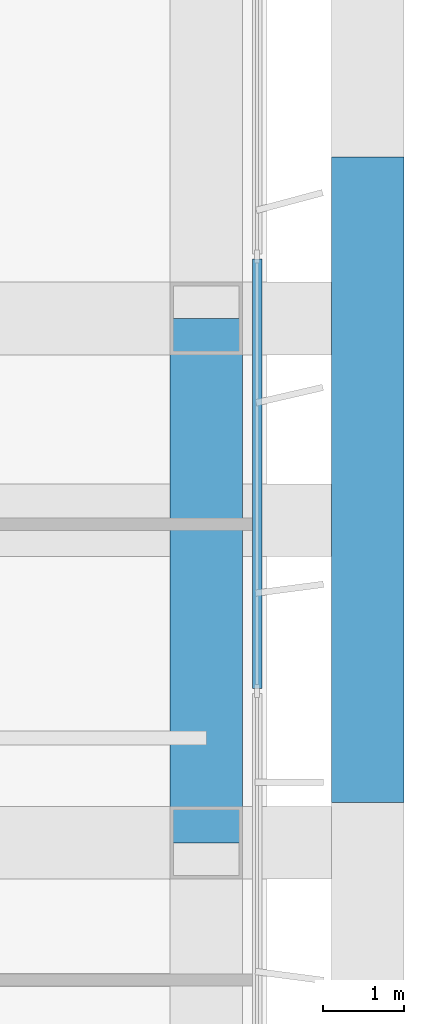
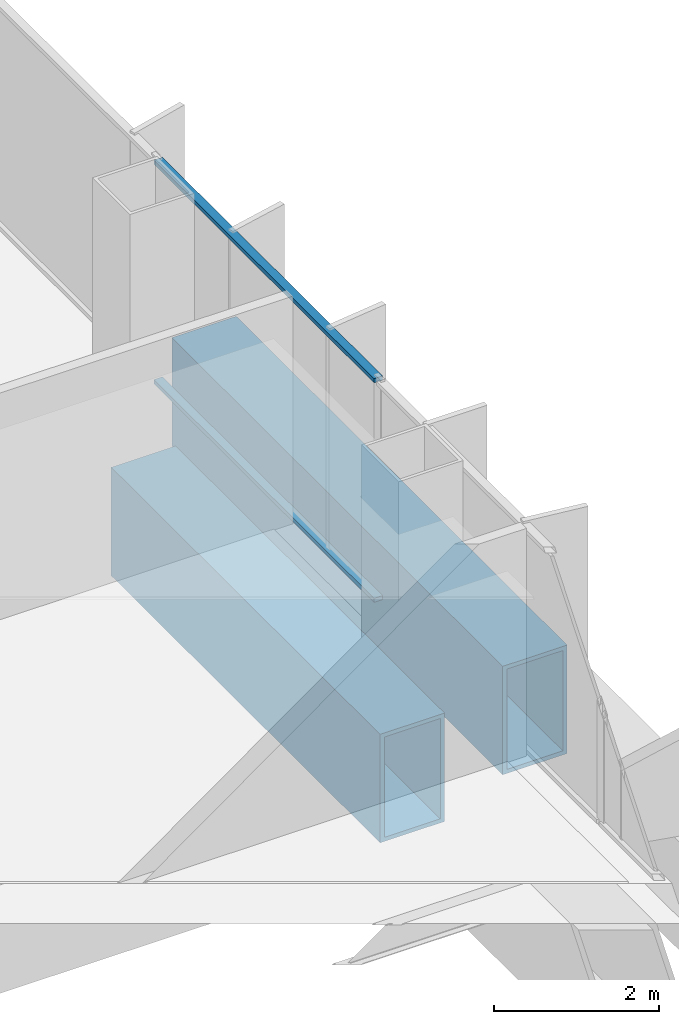
# One storey, part 7 of 17: 2 beams, 2 members, 1 element without a shape of its own.
"""IFC4 building model written with IfcOpenShell, lengths in metres."""

from ifc_helpers import new_model, si_unit, direction, frame, origin, origin_2d, place, context, subcontext, project, spatial, rectangle, hollow_rectangle, extrude, material, layer, layer_set, material_profile, profile_set, type_object, element, aggregate, save


model = new_model("IFC4")

# Units and contexts
model_context = context("Model", 3, precision=1e-05, world=origin(), true_north=direction((0.0, 1.0)))
body_context = subcontext(model_context, "Body", "Model", "MODEL_VIEW")
ifc_project = project(units=[si_unit("LENGTHUNIT", "METRE"), si_unit("AREAUNIT", "SQUARE_METRE"), si_unit("VOLUMEUNIT", "CUBIC_METRE"), si_unit("PLANEANGLEUNIT", "RADIAN"), si_unit("MASSUNIT", "GRAM", prefix="KILO")], contexts=[model_context])

# Site, building, storey
site_placement = place(None, origin())
site = spatial("IfcSite", under=ifc_project, at=site_placement, CompositionType="ELEMENT")
building_placement = place(site_placement, origin())
building = spatial("IfcBuilding", under=site, at=building_placement, Name="Trevonay Congress Spire", CompositionType="ELEMENT")
storey_placement = place(building_placement, frame((0.0, 0.0, 94.0)))
storey = spatial("IfcBuildingStorey", under=building, at=storey_placement, Name="L23", CompositionType="ELEMENT", Elevation=94.0)

# Beams
ifc_material_1 = material(Name="Steel ASTM A572 Grade 50", Category="steel")
ifc_material_profile_1 = material_profile(ifc_material_1, hollow_rectangle(XDim=0.89990234375, YDim=1.60009765625, WallThickness=0.06005859375, at=origin_2d()), Name="BOX 1600x900x60")
ifc_profile_set_1 = profile_set([ifc_material_profile_1], Name="Steel ASTM A572 Grade 50")
beam_type = type_object("IfcBeamType", Name="BM-RING-BOX1600", PredefinedType="BEAM", material=ifc_profile_set_1)
beam_1_placement = place(storey_placement, frame((21.25, 3.5, -1.199951171875), z_axis=(0.0, 1.0, 0.0), x_axis=(-1.0, 0.0, 0.0)))
element("IfcBeam", 1, at=beam_1_placement, inside=storey, type_object=beam_type, Name="L23 structural beam BM-L23-PE4", PredefinedType="BEAM", context=body_context, shape_type="SweptSolid", body=[
    extrude(hollow_rectangle(XDim=0.89990234375, YDim=1.60009765625, WallThickness=0.06005859375, at=origin_2d()), origin(), (0.0, 0.0, 1.0), 6.5),
])
beam_2_placement = place(storey_placement, frame((23.25, 4.0, -1.199951171875), z_axis=(0.0, 1.0, 0.0), x_axis=(-1.0, 0.0, 0.0)))
element("IfcBeam", 2, at=beam_2_placement, inside=storey, type_object=beam_type, Name="L23 structural beam XOUT-L23-E3", PredefinedType="BEAM", context=body_context, shape_type="SweptSolid", body=[
    extrude(hollow_rectangle(XDim=0.89990234375, YDim=1.60009765625, WallThickness=0.06005859375, at=origin_2d()), origin(), (0.0, 0.0, 1.0), 8.0),
])

# Curtain wall, members
ifc_material_2 = material(Name="Pale Anodised Aluminium EN AW-6063-T6", Category="aluminium")
ifc_layer = layer(ifc_material_2, 0.175048828125, Name="Pale Anodised Aluminium EN AW-6063-T6")
ifc_layer_set = layer_set([ifc_layer], Name="Pale Anodised Aluminium EN AW-6063-T6")
curtain_wall_type = type_object("IfcCurtainWallType", Name="CW-SYS03-CONGRESS-PALE-METAL", PredefinedType="NOTDEFINED", material=ifc_layer_set)
curtain_wall_placement = place(storey_placement, origin())
curtain_wall = element("IfcCurtainWall", 3, at=curtain_wall_placement, inside=storey, type_object=curtain_wall_type, Name="L23 E unitised curtain wall", PredefinedType="NOTDEFINED")
ifc_material_profile_2 = material_profile(ifc_material_2, rectangle(XDim=0.1201171875, YDim=0.06005859375, at=origin_2d()), Name="CW-TRANSOM-120-ALUMINIUM")
ifc_profile_set_2 = profile_set([ifc_material_profile_2], Name="Pale Anodised Aluminium EN AW-6063-T6")
member_type = type_object("IfcMemberType", Name="CW-TRANSOM-120-ALUMINIUM", PredefinedType="USERDEFINED", material=ifc_profile_set_2)
member_1_placement = place(storey_placement, frame((21.8798828125, 5.413330078125, 0.06005859375), z_axis=(0.0, 1.0, 0.0), x_axis=(-1.0, 0.0, 0.0)))
member_1 = element("IfcMember", 4, at=member_1_placement, type_object=member_type, Name="CW03 transom 5.1", ObjectType="TRANSOM", PredefinedType="USERDEFINED", context=body_context, shape_type="SweptSolid", body=[
    extrude(rectangle(XDim=0.1201171875, YDim=0.06005859375, at=origin_2d()), origin(), (0.0, 0.0, 1.0), 5.3232421875),
])
member_2_placement = place(storey_placement, frame((21.8798828125, 5.413330078125, 3.300048828125), z_axis=(0.0, 1.0, 0.0), x_axis=(-1.0, 0.0, 0.0)))
member_2 = element("IfcMember", 5, at=member_2_placement, type_object=member_type, Name="CW03 transom 5.2", ObjectType="TRANSOM", PredefinedType="USERDEFINED", context=body_context, shape_type="SweptSolid", body=[
    extrude(rectangle(XDim=0.1201171875, YDim=0.06005859375, at=origin_2d()), origin(), (0.0, 0.0, 1.0), 5.3232421875),
])
aggregate(curtain_wall, [member_1, member_2])

save(model, "model.ifc")
